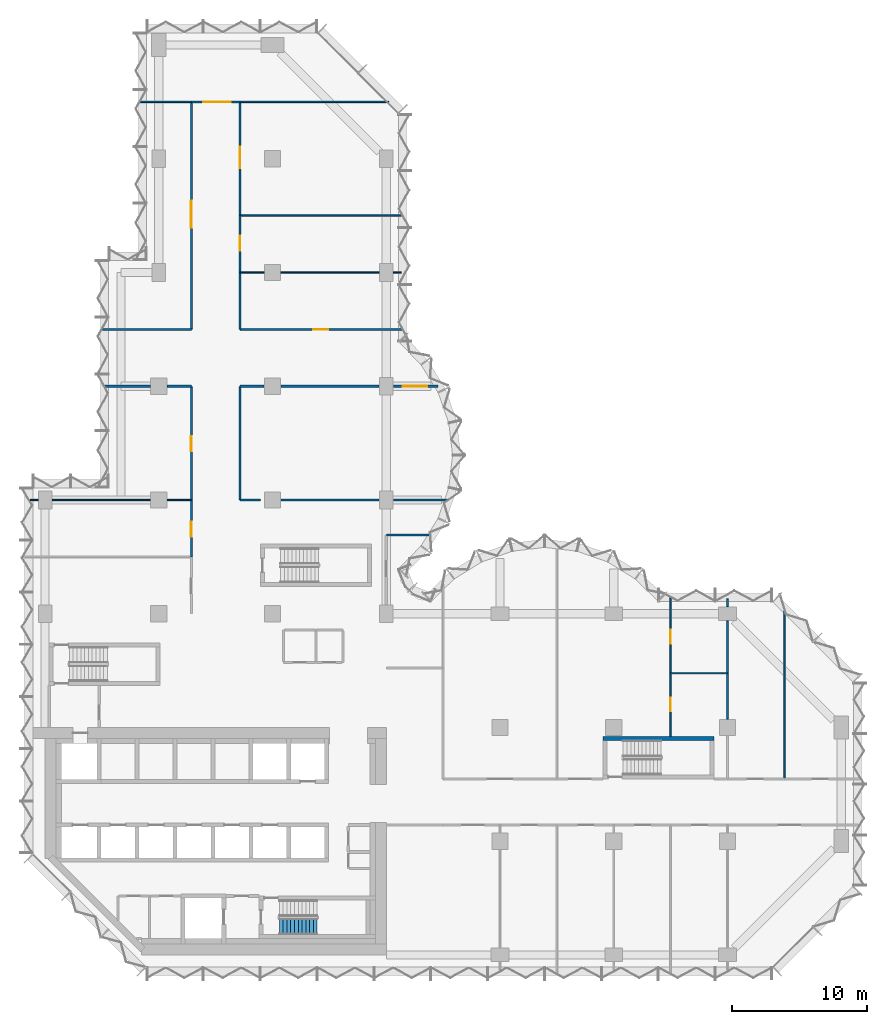
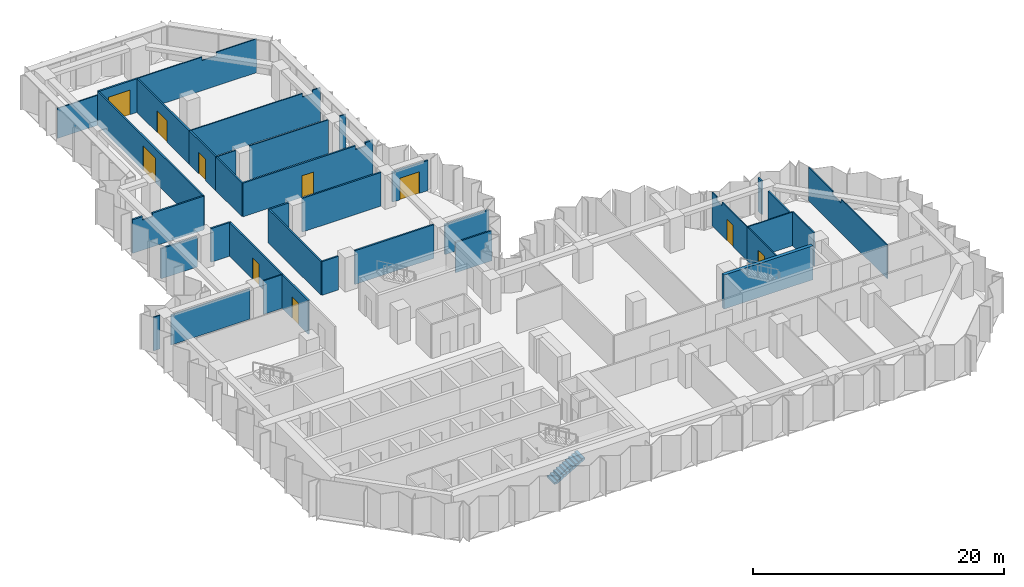
# One storey, part 8 of 11: 36 walls, 10 doors, 1 stair flight, 10 openings, 1 element without a shape of its own.
"""IFC4 building model written with IfcOpenShell, lengths in metres."""

from ifc_helpers import new_model, si_unit, direction, frame, frame_2d, origin, place, context, subcontext, project, spatial, polyline, rectangle, outline, extrude, material, layer, layer_set, type_object, element, fill, aggregate, save


model = new_model("IFC4")

# Units and contexts
model_context = context("Model", 3, precision=1e-05, world=origin(), true_north=direction((0.0, 1.0)))
body_context = subcontext(model_context, "Body", "Model", "MODEL_VIEW")
ifc_project = project(units=[si_unit("LENGTHUNIT", "METRE"), si_unit("AREAUNIT", "SQUARE_METRE"), si_unit("VOLUMEUNIT", "CUBIC_METRE"), si_unit("PLANEANGLEUNIT", "RADIAN"), si_unit("MASSUNIT", "GRAM", prefix="KILO")], contexts=[model_context])

# Site, building, storey
site_placement = place(None, origin())
site = spatial("IfcSite", under=ifc_project, at=site_placement, CompositionType="ELEMENT")
building_placement = place(site_placement, origin())
building = spatial("IfcBuilding", under=site, at=building_placement, Name="Brevane Broadcast Tower", CompositionType="ELEMENT")
storey_placement = place(building_placement, frame((0.0, 0.0, 152.89990234375)))
storey = spatial("IfcBuildingStorey", under=building, at=storey_placement, Name="L38", CompositionType="ELEMENT", Elevation=152.89990234375)

# Wall
ifc_material_1 = material(Name="Concrete C60/75", Category="concrete")
ifc_layer_1 = layer(ifc_material_1, 0.300048828125)
ifc_layer_set_1 = layer_set([ifc_layer_1], Name="Core wall 300 mm C60/75")
wall_type_1 = type_object("IfcWallType", Name="Core wall 300 mm C60/75", PredefinedType="SHEAR", material=ifc_layer_set_1)
wall_1_placement = place(storey_placement, frame((41.199951171875, 16.0, 0.0), z_axis=(0.0, 0.0, 1.0), x_axis=(1.0, 0.0, 0.0)))
element("IfcWall", 1, at=wall_1_placement, inside=storey, type_object=wall_type_1, Name="L38 stair wall ST-4-N", PredefinedType="SHEAR", context=body_context, shape_type="SweptSolid", body=[
    extrude(rectangle(XDim=8.199951171875, YDim=0.300048828125, at=frame_2d((4.10009765625, 0.0))), origin(), (0.0, 0.0, 1.0), 3.300048828125),
])

# Wall, opening, door
ifc_material_2 = material(Name="Gypsum board partition")
ifc_layer_2 = layer(ifc_material_2, 0.10009765625)
ifc_layer_set_2 = layer_set([ifc_layer_2], Name="PARTITION 100 STUD")
wall_type_2 = type_object("IfcWallType", Name="PARTITION 100 STUD", PredefinedType="PARTITIONING", material=ifc_layer_set_2)
wall_2_placement = place(storey_placement, frame((46.199951171875, 20.800048828125, 0.0), z_axis=(0.0, 0.0, 1.0), x_axis=(0.0, -1.0, 0.0)))
wall_2 = element("IfcWall", 2, at=wall_2_placement, inside=storey, type_object=wall_type_2, Name="Partition G11-030", PredefinedType="PARTITIONING", context=body_context, shape_type="SweptSolid", body=[
    extrude(rectangle(XDim=4.650146484375, YDim=0.10009765625, at=frame_2d((2.3251953125, 0.0))), origin(), (0.0, 0.0, 1.0), 3.280029296875),
])
opening_1_placement = place(wall_2_placement, frame((1.800048828125, 0.0, 0.0)))
opening_1 = element("IfcOpeningElement", 3, at=opening_1_placement, cuts=wall_2, Name="Opening D18-010", PredefinedType="OPENING", context=body_context, shape_type="SweptSolid", body=[
    extrude(rectangle(XDim=1.0, YDim=2.10009765625, at=frame_2d((0.5, 1.050048828125))), frame((0.0, 0.06005859375, 0.0), z_axis=(0.0, -1.0, 0.0), x_axis=(1.0, 0.0, 0.0)), (0.0, 0.0, 1.0), 0.1201171875),
])
ifc_material_3 = material(Name="Timber door leaf", Category="wood")
door_type_1 = type_object("IfcDoorType", Name="DOOR SINGLE 1000 INTERNAL", OperationType="SINGLE_SWING_LEFT", PredefinedType="DOOR", material=ifc_material_3)
door_1_placement = place(opening_1_placement, origin())
door_1 = element("IfcDoor", 4, at=door_1_placement, inside=storey, type_object=door_type_1, Name="Door D18-010", OperationType="SINGLE_SWING_LEFT", OverallHeight=2.10009765625, OverallWidth=1.0, PredefinedType="DOOR", context=body_context, shape_type="SweptSolid", body=[
    extrude(rectangle(XDim=1.0, YDim=2.10009765625, at=frame_2d((0.5, 1.050048828125))), frame((0.0, 0.02490234375, 0.0), z_axis=(0.0, -1.0, 0.0), x_axis=(1.0, 0.0, 0.0)), (0.0, 0.0, 1.0), 0.050048828125),
])
fill(opening_1, door_1)

wall_3_placement = place(storey_placement, frame((46.199951171875, 26.3740234375, 0.0), z_axis=(0.0, 0.0, 1.0), x_axis=(0.0, -1.0, 0.0)))
wall_3 = element("IfcWall", 5, at=wall_3_placement, inside=storey, type_object=wall_type_2, Name="Partition G11-031", PredefinedType="PARTITIONING", context=body_context, shape_type="SweptSolid", body=[
    extrude(outline(polyline([(0.0, 0.0), (5.573974609375, 0.0), (5.573974609375, 3.280029296875), (1.6240234375, 3.280029296875), (1.6220703125, 2.93017578125), (0.72607421875, 2.93017578125), (0.72412109375, 3.280029296875), (0.073974609375, 3.280029296875), (0.0, 3.280029296875), (0.0, 0.0)])), frame((0.0, 0.050048828125, 0.0), z_axis=(0.0, -1.0, 0.0), x_axis=(1.0, 0.0, 0.0)), (0.0, 0.0, 1.0), 0.10009765625),
])
opening_2_placement = place(wall_3_placement, frame((2.3740234375, 0.0, 0.0)))
opening_2 = element("IfcOpeningElement", 6, at=opening_2_placement, cuts=wall_3, Name="Opening D18-011", PredefinedType="OPENING", context=body_context, shape_type="SweptSolid", body=[
    extrude(rectangle(XDim=1.0, YDim=2.10009765625, at=frame_2d((0.5, 1.050048828125))), frame((0.0, 0.06005859375, 0.0), z_axis=(0.0, -1.0, 0.0), x_axis=(1.0, 0.0, 0.0)), (0.0, 0.0, 1.0), 0.1201171875),
])
door_2_placement = place(opening_2_placement, origin())
door_2 = element("IfcDoor", 7, at=door_2_placement, inside=storey, type_object=door_type_1, Name="Door D18-011", OperationType="SINGLE_SWING_LEFT", OverallHeight=2.10009765625, OverallWidth=1.0, PredefinedType="DOOR", context=body_context, shape_type="SweptSolid", body=[
    extrude(rectangle(XDim=1.0, YDim=2.10009765625, at=frame_2d((0.5, 1.050048828125))), frame((0.0, 0.02490234375, 0.0), z_axis=(0.0, -1.0, 0.0), x_axis=(1.0, 0.0, 0.0)), (0.0, 0.0, 1.0), 0.050048828125),
])
fill(opening_2, door_2)

# Walls
wall_4_placement = place(storey_placement, frame((46.199951171875, 20.800048828125, 0.0), z_axis=(0.0, 0.0, 1.0), x_axis=(1.0, 0.0, 0.0)))
element("IfcWall", 8, at=wall_4_placement, inside=storey, type_object=wall_type_2, Name="Partition G11-032", PredefinedType="PARTITIONING", context=body_context, shape_type="SweptSolid", body=[
    extrude(rectangle(XDim=4.199951171875, YDim=0.10009765625, at=frame_2d((2.10009765625, 0.0))), origin(), (0.0, 0.0, 1.0), 3.280029296875),
])
wall_5_placement = place(storey_placement, frame((54.60009765625, 25.50244140625, 0.0), z_axis=(0.0, 0.0, 1.0), x_axis=(0.0, -1.0, 0.0)))
element("IfcWall", 9, at=wall_5_placement, inside=storey, type_object=wall_type_2, Name="Partition G11-037", PredefinedType="PARTITIONING", context=body_context, shape_type="SweptSolid", body=[
    extrude(outline(polyline([(0.0, 0.0), (12.50244140625, 0.0), (12.50244140625, 3.280029296875), (5.168212890625, 3.280029296875), (5.166259765625, 2.93017578125), (3.8388671875, 2.93017578125), (3.8369140625, 3.280029296875), (0.1025390625, 3.280029296875), (0.0, 3.280029296875), (0.0, 0.0)])), frame((0.0, 0.050048828125, 0.0), z_axis=(0.0, -1.0, 0.0), x_axis=(1.0, 0.0, 0.0)), (0.0, 0.0, 1.0), 0.10009765625),
])
wall_6_placement = place(storey_placement, frame((10.800048828125, 63.0, 0.0), z_axis=(0.0, 0.0, 1.0), x_axis=(-1.0, 0.0, 0.0)))
element("IfcWall", 10, at=wall_6_placement, inside=storey, type_object=wall_type_2, Name="Partition G11-050", PredefinedType="PARTITIONING", context=body_context, shape_type="SweptSolid", body=[
    extrude(rectangle(XDim=3.76513671875, YDim=0.10009765625, at=frame_2d((1.882568359375, 0.0))), origin(), (0.0, 0.0, 1.0), 2.93017578125),
])
wall_7_placement = place(storey_placement, frame((25.39990234375, 63.0, 0.0), z_axis=(0.0, 0.0, 1.0), x_axis=(-1.0, 0.0, 0.0)))
element("IfcWall", 11, at=wall_7_placement, inside=storey, type_object=wall_type_2, Name="Partition G11-051", PredefinedType="PARTITIONING", context=body_context, shape_type="SweptSolid", body=[
    extrude(outline(polyline([(0.0, 0.0), (11.0, 0.0), (11.0, 3.280029296875), (5.065673828125, 3.280029296875), (5.063720703125, 2.93017578125), (3.736328125, 2.93017578125), (3.734375, 3.280029296875), (0.0, 3.280029296875), (0.0, 0.0)])), frame((0.0, 0.050048828125, 0.0), z_axis=(0.0, -1.0, 0.0), x_axis=(1.0, 0.0, 0.0)), (0.0, 0.0, 1.0), 0.10009765625),
])
wall_8_placement = place(storey_placement, frame((-1.10009765625, 33.60009765625, 0.0), z_axis=(0.0, 0.0, 1.0), x_axis=(1.0, 0.0, 0.0)))
element("IfcWall", 12, at=wall_8_placement, inside=storey, type_object=wall_type_2, Name="Partition G11-056", PredefinedType="PARTITIONING", context=body_context, shape_type="SweptSolid", body=[
    extrude(rectangle(XDim=0.580078125, YDim=0.10009765625, at=frame_2d((0.2900390625, 0.0))), origin(), (0.0, 0.0, 1.0), 3.280029296875),
])
wall_9_placement = place(storey_placement, frame((0.52001953125, 33.60009765625, 0.0), z_axis=(0.0, 0.0, 1.0), x_axis=(1.0, 0.0, 0.0)))
element("IfcWall", 13, at=wall_9_placement, inside=storey, type_object=wall_type_2, Name="Partition G11-057", PredefinedType="PARTITIONING", context=body_context, shape_type="SweptSolid", body=[
    extrude(outline(polyline([(0.0, 0.0), (7.260009765625, 0.0), (7.260009765625, 2.93017578125), (0.0, 2.93017578125), (0.0, 0.0)])), frame((0.0, 0.050048828125, 0.0), z_axis=(0.0, -1.0, 0.0), x_axis=(1.0, 0.0, 0.0)), (0.0, 0.0, 1.0), 0.10009765625),
])
for number, where, z_axis, x_axis, name in (
    (14, (9.02001953125, 33.60009765625, 0.0), (0.0, 0.0, 1.0), (1.0, 0.0, 0.0), "Partition G11-058"),
    (15, (14.39990234375, 50.39990234375, 0.0), (0.0, 0.0, 1.0), (1.0, 0.0, 0.0), "Partition G11-063"),
):
    element("IfcWall", number, at=place(storey_placement, frame(where, z_axis=z_axis, x_axis=x_axis)), inside=storey, type_object=wall_type_2, Name=name, PredefinedType="PARTITIONING", context=body_context, shape_type="SweptSolid", body=[
        extrude(rectangle(XDim=1.780029296875, YDim=0.10009765625, at=frame_2d((0.89013671875, 0.0))), origin(), (0.0, 0.0, 1.0), 3.280029296875),
    ])
wall_10_placement = place(storey_placement, frame((17.419921875, 50.39990234375, 0.0), z_axis=(0.0, 0.0, 1.0), x_axis=(1.0, 0.0, 0.0)))
element("IfcWall", 16, at=wall_10_placement, inside=storey, type_object=wall_type_2, Name="Partition G11-064", PredefinedType="PARTITIONING", context=body_context, shape_type="SweptSolid", body=[
    extrude(rectangle(XDim=7.260009765625, YDim=0.10009765625, at=frame_2d((3.6298828125, 0.0))), origin(), (0.0, 0.0, 1.0), 3.280029296875),
])
wall_11_placement = place(storey_placement, frame((25.719970703125, 50.39990234375, 0.0), z_axis=(0.0, 0.0, 1.0), x_axis=(1.0, 0.0, 0.0)))
element("IfcWall", 17, at=wall_11_placement, inside=storey, type_object=wall_type_2, Name="Partition G11-065", PredefinedType="PARTITIONING", context=body_context, shape_type="SweptSolid", body=[
    extrude(rectangle(XDim=0.580078125, YDim=0.10009765625, at=frame_2d((0.2900390625, 0.0))), origin(), (0.0, 0.0, 1.0), 3.280029296875),
])
wall_12_placement = place(storey_placement, frame((14.39990234375, 54.60009765625, 0.0), z_axis=(0.0, 0.0, 1.0), x_axis=(1.0, 0.0, 0.0)))
element("IfcWall", 18, at=wall_12_placement, inside=storey, type_object=wall_type_2, Name="Partition G11-066", PredefinedType="PARTITIONING", context=body_context, shape_type="SweptSolid", body=[
    extrude(outline(polyline([(0.0, 0.0), (11.97412109375, 0.0), (11.97412109375, 3.280029296875), (11.89990234375, 3.280029296875), (11.25, 3.280029296875), (11.248046875, 2.93017578125), (10.35205078125, 2.93017578125), (10.35009765625, 3.280029296875), (0.0, 3.280029296875), (0.0, 0.0)])), frame((0.0, 0.050048828125, 0.0), z_axis=(0.0, -1.0, 0.0), x_axis=(1.0, 0.0, 0.0)), (0.0, 0.0, 1.0), 0.10009765625),
])
ifc_layer_3 = layer(ifc_material_2, 0.125)
ifc_layer_set_3 = layer_set([ifc_layer_3], Name="PARTITION 125 ACOUSTIC")
wall_type_3 = type_object("IfcWallType", Name="PARTITION 125 ACOUSTIC", PredefinedType="PARTITIONING", material=ifc_layer_set_3)
wall_13_placement = place(storey_placement, frame((50.39990234375, 20.800048828125, 0.0), z_axis=(0.0, 0.0, 1.0), x_axis=(0.0, -1.0, 0.0)))
element("IfcWall", 19, at=wall_13_placement, inside=storey, type_object=wall_type_3, Name="Partition G11-033", PredefinedType="PARTITIONING", context=body_context, shape_type="SweptSolid", body=[
    extrude(rectangle(XDim=3.380126953125, YDim=0.125, at=frame_2d((1.68994140625, 0.0))), origin(), (0.0, 0.0, 1.0), 3.280029296875),
])
wall_14_placement = place(storey_placement, frame((50.39990234375, 26.300048828125, 0.0), z_axis=(0.0, 0.0, 1.0), x_axis=(0.0, -1.0, 0.0)))
element("IfcWall", 20, at=wall_14_placement, inside=storey, type_object=wall_type_3, Name="Partition G11-035", PredefinedType="PARTITIONING", context=body_context, shape_type="SweptSolid", body=[
    extrude(rectangle(XDim=0.580078125, YDim=0.125, at=frame_2d((0.2900390625, 0.0))), origin(), (0.0, 0.0, 1.0), 3.280029296875),
])
wall_15_placement = place(storey_placement, frame((50.39990234375, 24.679931640625, 0.0), z_axis=(0.0, 0.0, 1.0), x_axis=(0.0, -1.0, 0.0)))
element("IfcWall", 21, at=wall_15_placement, inside=storey, type_object=wall_type_3, Name="Partition G11-036", PredefinedType="PARTITIONING", context=body_context, shape_type="SweptSolid", body=[
    extrude(rectangle(XDim=3.8798828125, YDim=0.125, at=frame_2d((1.93994140625, 0.0))), origin(), (0.0, 0.0, 1.0), 2.93017578125),
])
ifc_layer_4 = layer(ifc_material_2, 0.14990234375)
ifc_layer_set_4 = layer_set([ifc_layer_4], Name="PARTITION 150 EI 60")
wall_type_4 = type_object("IfcWallType", Name="PARTITION 150 EI 60", PredefinedType="PARTITIONING", material=ifc_layer_set_4)
wall_16_placement = place(storey_placement, frame((25.199951171875, 31.0, 0.0), z_axis=(0.0, 0.0, 1.0), x_axis=(1.0, 0.0, 0.0)))
element("IfcWall", 22, at=wall_16_placement, inside=storey, type_object=wall_type_4, Name="Partition G11-006", PredefinedType="PARTITIONING", context=body_context, shape_type="SweptSolid", body=[
    extrude(rectangle(XDim=3.32421875, YDim=0.14990234375, at=frame_2d((1.662109375, 0.0))), origin(), (0.0, 0.0, 1.0), 2.93017578125),
])

# Wall, opening, door
wall_17_placement = place(storey_placement, frame((10.800048828125, 29.39990234375, 0.0), z_axis=(0.0, 0.0, 1.0), x_axis=(0.0, 1.0, 0.0)))
wall_17 = element("IfcWall", 23, at=wall_17_placement, inside=storey, type_object=wall_type_4, Name="Partition G11-039", PredefinedType="PARTITIONING", context=body_context, shape_type="SweptSolid", body=[
    extrude(rectangle(XDim=4.2001953125, YDim=0.14990234375, at=frame_2d((2.10009765625, 0.0))), origin(), (0.0, 0.0, 1.0), 3.280029296875),
])
opening_3_placement = place(wall_17_placement, frame((1.5, 0.0, 0.0)))
opening_3 = element("IfcOpeningElement", 24, at=opening_3_placement, cuts=wall_17, Name="Opening D18-016", PredefinedType="OPENING", context=body_context, shape_type="SweptSolid", body=[
    extrude(rectangle(XDim=1.10009765625, YDim=2.10009765625, at=frame_2d((0.550048828125, 1.050048828125))), frame((0.0, 0.0849609375, 0.0), z_axis=(0.0, -1.0, 0.0), x_axis=(1.0, 0.0, 0.0)), (0.0, 0.0, 1.0), 0.169921875),
])
ifc_material_4 = material(Name="Fire-rated timber door leaf", Category="wood")
door_type_2 = type_object("IfcDoorType", Name="DOOR SINGLE 1100 FD30S", OperationType="SINGLE_SWING_LEFT", PredefinedType="DOOR", material=ifc_material_4)
door_3_placement = place(opening_3_placement, origin())
door_3 = element("IfcDoor", 25, at=door_3_placement, inside=storey, type_object=door_type_2, Name="Door D18-016", OperationType="SINGLE_SWING_LEFT", OverallHeight=2.10009765625, OverallWidth=1.10009765625, PredefinedType="DOOR", context=body_context, shape_type="SweptSolid", body=[
    extrude(rectangle(XDim=1.10009765625, YDim=2.10009765625, at=frame_2d((0.550048828125, 1.050048828125))), frame((0.0, 0.02490234375, 0.0), z_axis=(0.0, -1.0, 0.0), x_axis=(1.0, 0.0, 0.0)), (0.0, 0.0, 1.0), 0.050048828125),
])
fill(opening_3, door_3)

# Walls
wall_18_placement = place(storey_placement, frame((14.39990234375, 33.60009765625, 0.0), z_axis=(0.0, 0.0, 1.0), x_axis=(1.0, 0.0, 0.0)))
element("IfcWall", 26, at=wall_18_placement, inside=storey, type_object=wall_type_4, Name="Partition G11-040", PredefinedType="PARTITIONING", context=body_context, shape_type="SweptSolid", body=[
    extrude(rectangle(XDim=1.5, YDim=0.14990234375, at=frame_2d((0.75, 0.0))), origin(), (0.0, 0.0, 1.0), 3.280029296875),
])
wall_19_placement = place(storey_placement, frame((17.419921875, 33.60009765625, 0.0), z_axis=(0.0, 0.0, 1.0), x_axis=(1.0, 0.0, 0.0)))
element("IfcWall", 27, at=wall_19_placement, inside=storey, type_object=wall_type_4, Name="Partition G11-041", PredefinedType="PARTITIONING", context=body_context, shape_type="SweptSolid", body=[
    extrude(rectangle(XDim=7.260009765625, YDim=0.14990234375, at=frame_2d((3.6298828125, 0.0))), origin(), (0.0, 0.0, 1.0), 3.280029296875),
])
wall_20_placement = place(storey_placement, frame((25.719970703125, 33.60009765625, 0.0), z_axis=(0.0, 0.0, 1.0), x_axis=(1.0, 0.0, 0.0)))
element("IfcWall", 28, at=wall_20_placement, inside=storey, type_object=wall_type_4, Name="Partition G11-042", PredefinedType="PARTITIONING", context=body_context, shape_type="SweptSolid", body=[
    extrude(rectangle(XDim=4.0419921875, YDim=0.14990234375, at=frame_2d((2.02099609375, 0.0))), origin(), (0.0, 0.0, 1.0), 2.93017578125),
])

# Wall, opening, door
wall_21_placement = place(storey_placement, frame((10.800048828125, 63.0, 0.0), z_axis=(0.0, 0.0, 1.0), x_axis=(1.0, 0.0, 0.0)))
wall_21 = element("IfcWall", 29, at=wall_21_placement, inside=storey, type_object=wall_type_4, Name="Partition G11-043", PredefinedType="PARTITIONING", context=body_context, shape_type="SweptSolid", body=[
    extrude(rectangle(XDim=3.599853515625, YDim=0.14990234375, at=frame_2d((1.7998046875, 0.0))), origin(), (0.0, 0.0, 1.0), 3.280029296875),
])
opening_4_placement = place(wall_21_placement, frame((0.89990234375, 0.0, 0.0)))
opening_4 = element("IfcOpeningElement", 30, at=opening_4_placement, cuts=wall_21, Name="Opening D18-014", PredefinedType="OPENING", context=body_context, shape_type="SweptSolid", body=[
    extrude(rectangle(XDim=2.0, YDim=2.39990234375, at=frame_2d((1.0, 1.199951171875))), frame((0.0, 0.0849609375, 0.0), z_axis=(0.0, -1.0, 0.0), x_axis=(1.0, 0.0, 0.0)), (0.0, 0.0, 1.0), 0.169921875),
])
door_type_3 = type_object("IfcDoorType", Name="DOOR DOUBLE 2000 FD30S", OperationType="DOUBLE_DOOR_SINGLE_SWING", PredefinedType="DOOR", material=ifc_material_4)
door_4_placement = place(opening_4_placement, origin())
door_4 = element("IfcDoor", 31, at=door_4_placement, inside=storey, type_object=door_type_3, Name="Door D18-014", OperationType="DOUBLE_DOOR_SINGLE_SWING", OverallHeight=2.39990234375, OverallWidth=2.0, PredefinedType="DOOR", context=body_context, shape_type="SweptSolid", body=[
    extrude(rectangle(XDim=2.0, YDim=2.39990234375, at=frame_2d((1.0, 1.199951171875))), frame((0.0, 0.02490234375, 0.0), z_axis=(0.0, -1.0, 0.0), x_axis=(1.0, 0.0, 0.0)), (0.0, 0.0, 1.0), 0.050048828125),
])
fill(opening_4, door_4)

wall_22_placement = place(storey_placement, frame((10.800048828125, 33.60009765625, 0.0), z_axis=(0.0, 0.0, 1.0), x_axis=(0.0, 1.0, 0.0)))
wall_22 = element("IfcWall", 32, at=wall_22_placement, inside=storey, type_object=wall_type_4, Name="Partition G11-044", PredefinedType="PARTITIONING", context=body_context, shape_type="SweptSolid", body=[
    extrude(rectangle(XDim=8.39990234375, YDim=0.14990234375, at=frame_2d((4.199951171875, 0.0))), origin(), (0.0, 0.0, 1.0), 3.280029296875),
])
opening_5_placement = place(wall_22_placement, frame((3.60009765625, 0.0, 0.0)))
opening_5 = element("IfcOpeningElement", 33, at=opening_5_placement, cuts=wall_22, Name="Opening D18-017", PredefinedType="OPENING", context=body_context, shape_type="SweptSolid", body=[
    extrude(rectangle(XDim=1.10009765625, YDim=2.10009765625, at=frame_2d((0.550048828125, 1.050048828125))), frame((0.0, 0.0849609375, 0.0), z_axis=(0.0, -1.0, 0.0), x_axis=(1.0, 0.0, 0.0)), (0.0, 0.0, 1.0), 0.169921875),
])
door_5_placement = place(opening_5_placement, origin())
door_5 = element("IfcDoor", 34, at=door_5_placement, inside=storey, type_object=door_type_2, Name="Door D18-017", OperationType="SINGLE_SWING_LEFT", OverallHeight=2.10009765625, OverallWidth=1.10009765625, PredefinedType="DOOR", context=body_context, shape_type="SweptSolid", body=[
    extrude(rectangle(XDim=1.10009765625, YDim=2.10009765625, at=frame_2d((0.550048828125, 1.050048828125))), frame((0.0, 0.02490234375, 0.0), z_axis=(0.0, -1.0, 0.0), x_axis=(1.0, 0.0, 0.0)), (0.0, 0.0, 1.0), 0.050048828125),
])
fill(opening_5, door_5)

wall_23_placement = place(storey_placement, frame((10.800048828125, 46.199951171875, 0.0), z_axis=(0.0, 0.0, 1.0), x_axis=(0.0, 1.0, 0.0)))
wall_23 = element("IfcWall", 35, at=wall_23_placement, inside=storey, type_object=wall_type_4, Name="Partition G11-045", PredefinedType="PARTITIONING", context=body_context, shape_type="SweptSolid", body=[
    extrude(rectangle(XDim=16.800048828125, YDim=0.14990234375, at=frame_2d((8.39990234375, 0.0))), origin(), (0.0, 0.0, 1.0), 3.280029296875),
])
opening_6_placement = place(wall_23_placement, frame((7.5, 0.0, 0.0)))
opening_6 = element("IfcOpeningElement", 36, at=opening_6_placement, cuts=wall_23, Name="Opening D18-018", PredefinedType="OPENING", context=body_context, shape_type="SweptSolid", body=[
    extrude(rectangle(XDim=2.0, YDim=2.39990234375, at=frame_2d((1.0, 1.199951171875))), frame((0.0, 0.0849609375, 0.0), z_axis=(0.0, -1.0, 0.0), x_axis=(1.0, 0.0, 0.0)), (0.0, 0.0, 1.0), 0.169921875),
])
door_6_placement = place(opening_6_placement, origin())
door_6 = element("IfcDoor", 37, at=door_6_placement, inside=storey, type_object=door_type_3, Name="Door D18-018", OperationType="DOUBLE_DOOR_SINGLE_SWING", OverallHeight=2.39990234375, OverallWidth=2.0, PredefinedType="DOOR", context=body_context, shape_type="SweptSolid", body=[
    extrude(rectangle(XDim=2.0, YDim=2.39990234375, at=frame_2d((1.0, 1.199951171875))), frame((0.0, 0.02490234375, 0.0), z_axis=(0.0, -1.0, 0.0), x_axis=(1.0, 0.0, 0.0)), (0.0, 0.0, 1.0), 0.050048828125),
])
fill(opening_6, door_6)

# Walls
wall_24_placement = place(storey_placement, frame((14.39990234375, 42.0, 0.0), z_axis=(0.0, 0.0, 1.0), x_axis=(0.0, -1.0, 0.0)))
element("IfcWall", 38, at=wall_24_placement, inside=storey, type_object=wall_type_4, Name="Partition G11-046", PredefinedType="PARTITIONING", context=body_context, shape_type="SweptSolid", body=[
    extrude(rectangle(XDim=8.39990234375, YDim=0.14990234375, at=frame_2d((4.199951171875, 0.0))), origin(), (0.0, 0.0, 1.0), 3.280029296875),
])
wall_25_placement = place(storey_placement, frame((14.39990234375, 50.39990234375, 0.0), z_axis=(0.0, 0.0, 1.0), x_axis=(0.0, -1.0, 0.0)))
element("IfcWall", 39, at=wall_25_placement, inside=storey, type_object=wall_type_4, Name="Partition G11-047", PredefinedType="PARTITIONING", context=body_context, shape_type="SweptSolid", body=[
    extrude(rectangle(XDim=4.199951171875, YDim=0.14990234375, at=frame_2d((2.10009765625, 0.0))), origin(), (0.0, 0.0, 1.0), 3.280029296875),
])

# Wall, opening, door
wall_26_placement = place(storey_placement, frame((14.39990234375, 54.60009765625, 0.0), z_axis=(0.0, 0.0, 1.0), x_axis=(0.0, -1.0, 0.0)))
wall_26 = element("IfcWall", 40, at=wall_26_placement, inside=storey, type_object=wall_type_4, Name="Partition G11-048", PredefinedType="PARTITIONING", context=body_context, shape_type="SweptSolid", body=[
    extrude(rectangle(XDim=4.2001953125, YDim=0.14990234375, at=frame_2d((2.10009765625, 0.0))), origin(), (0.0, 0.0, 1.0), 3.280029296875),
])
opening_7_placement = place(wall_26_placement, frame((1.5, 0.0, 0.0)))
opening_7 = element("IfcOpeningElement", 41, at=opening_7_placement, cuts=wall_26, Name="Opening D18-021", PredefinedType="OPENING", context=body_context, shape_type="SweptSolid", body=[
    extrude(rectangle(XDim=1.10009765625, YDim=2.10009765625, at=frame_2d((0.550048828125, 1.050048828125))), frame((0.0, 0.0849609375, 0.0), z_axis=(0.0, -1.0, 0.0), x_axis=(1.0, 0.0, 0.0)), (0.0, 0.0, 1.0), 0.169921875),
])
door_7_placement = place(opening_7_placement, origin())
door_7 = element("IfcDoor", 42, at=door_7_placement, inside=storey, type_object=door_type_2, Name="Door D18-021", OperationType="SINGLE_SWING_LEFT", OverallHeight=2.10009765625, OverallWidth=1.10009765625, PredefinedType="DOOR", context=body_context, shape_type="SweptSolid", body=[
    extrude(rectangle(XDim=1.10009765625, YDim=2.10009765625, at=frame_2d((0.550048828125, 1.050048828125))), frame((0.0, 0.02490234375, 0.0), z_axis=(0.0, -1.0, 0.0), x_axis=(1.0, 0.0, 0.0)), (0.0, 0.0, 1.0), 0.050048828125),
])
fill(opening_7, door_7)

wall_27_placement = place(storey_placement, frame((14.39990234375, 63.0, 0.0), z_axis=(0.0, 0.0, 1.0), x_axis=(0.0, -1.0, 0.0)))
wall_27 = element("IfcWall", 43, at=wall_27_placement, inside=storey, type_object=wall_type_4, Name="Partition G11-049", PredefinedType="PARTITIONING", context=body_context, shape_type="SweptSolid", body=[
    extrude(rectangle(XDim=8.39990234375, YDim=0.14990234375, at=frame_2d((4.199951171875, 0.0))), origin(), (0.0, 0.0, 1.0), 3.280029296875),
])
opening_8_placement = place(wall_27_placement, frame((3.300048828125, 0.0, 0.0)))
opening_8 = element("IfcOpeningElement", 44, at=opening_8_placement, cuts=wall_27, Name="Opening D18-022", PredefinedType="OPENING", context=body_context, shape_type="SweptSolid", body=[
    extrude(rectangle(XDim=1.60009765625, YDim=2.10009765625, at=frame_2d((0.800048828125, 1.050048828125))), frame((0.0, 0.0849609375, 0.0), z_axis=(0.0, -1.0, 0.0), x_axis=(1.0, 0.0, 0.0)), (0.0, 0.0, 1.0), 0.169921875),
])
door_type_4 = type_object("IfcDoorType", Name="DOOR DOUBLE 1600 FD30S", OperationType="DOUBLE_DOOR_SINGLE_SWING", PredefinedType="DOOR", material=ifc_material_4)
door_8_placement = place(opening_8_placement, origin())
door_8 = element("IfcDoor", 45, at=door_8_placement, inside=storey, type_object=door_type_4, Name="Door D18-022", OperationType="DOUBLE_DOOR_SINGLE_SWING", OverallHeight=2.10009765625, OverallWidth=1.60009765625, PredefinedType="DOOR", context=body_context, shape_type="SweptSolid", body=[
    extrude(rectangle(XDim=1.60009765625, YDim=2.10009765625, at=frame_2d((0.800048828125, 1.050048828125))), frame((0.0, 0.02490234375, 0.0), z_axis=(0.0, -1.0, 0.0), x_axis=(1.0, 0.0, 0.0)), (0.0, 0.0, 1.0), 0.050048828125),
])
fill(opening_8, door_8)

# Walls
wall_28_placement = place(storey_placement, frame((10.800048828125, 42.0, 0.0), z_axis=(0.0, 0.0, 1.0), x_axis=(-1.0, 0.0, 0.0)))
element("IfcWall", 46, at=wall_28_placement, inside=storey, type_object=wall_type_4, Name="Partition G11-052", PredefinedType="PARTITIONING", context=body_context, shape_type="SweptSolid", body=[
    extrude(rectangle(XDim=1.780029296875, YDim=0.14990234375, at=frame_2d((0.89013671875, 0.0))), origin(), (0.0, 0.0, 1.0), 3.280029296875),
])
wall_29_placement = place(storey_placement, frame((7.780029296875, 42.0, 0.0), z_axis=(0.0, 0.0, 1.0), x_axis=(-1.0, 0.0, 0.0)))
element("IfcWall", 47, at=wall_29_placement, inside=storey, type_object=wall_type_4, Name="Partition G11-053", PredefinedType="PARTITIONING", context=body_context, shape_type="SweptSolid", body=[
    extrude(rectangle(XDim=3.35400390625, YDim=0.14990234375, at=frame_2d((1.677001953125, 0.0))), origin(), (0.0, 0.0, 1.0), 2.93017578125),
])
wall_30_placement = place(storey_placement, frame((4.235107421875, 46.199951171875, 0.0), z_axis=(0.0, 0.0, 1.0), x_axis=(1.0, 0.0, 0.0)))
element("IfcWall", 48, at=wall_30_placement, inside=storey, type_object=wall_type_4, Name="Partition G11-054", PredefinedType="PARTITIONING", context=body_context, shape_type="SweptSolid", body=[
    extrude(outline(polyline([(0.0, 0.0), (6.56494140625, 0.0), (6.56494140625, 3.280029296875), (1.81494140625, 3.280029296875), (1.81298828125, 2.93017578125), (0.9169921875, 2.93017578125), (0.9150390625, 3.280029296875), (0.264892578125, 3.280029296875), (0.0, 3.280029296875), (0.0, 0.0)])), frame((0.0, 0.074951171875, 0.0), z_axis=(0.0, -1.0, 0.0), x_axis=(1.0, 0.0, 0.0)), (0.0, 0.0, 1.0), 0.14990234375),
])

# Wall, opening, door
wall_31_placement = place(storey_placement, frame((29.011474609375, 42.0, 0.0), z_axis=(0.0, 0.0, 1.0), x_axis=(-1.0, 0.0, 0.0)))
wall_31 = element("IfcWall", 49, at=wall_31_placement, inside=storey, type_object=wall_type_4, Name="Partition G11-059", PredefinedType="PARTITIONING", context=body_context, shape_type="SweptSolid", body=[
    extrude(rectangle(XDim=3.29150390625, YDim=0.14990234375, at=frame_2d((1.645751953125, 0.0))), origin(), (0.0, 0.0, 1.0), 2.93017578125),
])
opening_9_placement = place(wall_31_placement, frame((0.800048828125, 0.0, 0.0)))
opening_9 = element("IfcOpeningElement", 50, at=opening_9_placement, cuts=wall_31, Name="Opening D18-019", PredefinedType="OPENING", context=body_context, shape_type="SweptSolid", body=[
    extrude(rectangle(XDim=1.800048828125, YDim=2.10009765625, at=frame_2d((0.89990234375, 1.050048828125))), frame((0.0, 0.0849609375, 0.0), z_axis=(0.0, -1.0, 0.0), x_axis=(1.0, 0.0, 0.0)), (0.0, 0.0, 1.0), 0.169921875),
])
door_type_5 = type_object("IfcDoorType", Name="DOOR DOUBLE 1800 FD30S", OperationType="DOUBLE_DOOR_SINGLE_SWING", PredefinedType="DOOR", material=ifc_material_4)
door_9_placement = place(opening_9_placement, origin())
door_9 = element("IfcDoor", 51, at=door_9_placement, inside=storey, type_object=door_type_5, Name="Door D18-019", OperationType="DOUBLE_DOOR_SINGLE_SWING", OverallHeight=2.10009765625, OverallWidth=1.800048828125, PredefinedType="DOOR", context=body_context, shape_type="SweptSolid", body=[
    extrude(rectangle(XDim=1.800048828125, YDim=2.10009765625, at=frame_2d((0.89990234375, 1.050048828125))), frame((0.0, 0.02490234375, 0.0), z_axis=(0.0, -1.0, 0.0), x_axis=(1.0, 0.0, 0.0)), (0.0, 0.0, 1.0), 0.050048828125),
])
fill(opening_9, door_9)

# Walls
wall_32_placement = place(storey_placement, frame((24.679931640625, 42.0, 0.0), z_axis=(0.0, 0.0, 1.0), x_axis=(-1.0, 0.0, 0.0)))
element("IfcWall", 52, at=wall_32_placement, inside=storey, type_object=wall_type_4, Name="Partition G11-060", PredefinedType="PARTITIONING", context=body_context, shape_type="SweptSolid", body=[
    extrude(rectangle(XDim=7.260009765625, YDim=0.14990234375, at=frame_2d((3.6298828125, 0.0))), origin(), (0.0, 0.0, 1.0), 3.280029296875),
])
wall_33_placement = place(storey_placement, frame((16.179931640625, 42.0, 0.0), z_axis=(0.0, 0.0, 1.0), x_axis=(-1.0, 0.0, 0.0)))
element("IfcWall", 53, at=wall_33_placement, inside=storey, type_object=wall_type_4, Name="Partition G11-061", PredefinedType="PARTITIONING", context=body_context, shape_type="SweptSolid", body=[
    extrude(rectangle(XDim=1.780029296875, YDim=0.14990234375, at=frame_2d((0.89013671875, 0.0))), origin(), (0.0, 0.0, 1.0), 3.280029296875),
])

# Wall, opening, door
wall_34_placement = place(storey_placement, frame((14.39990234375, 46.199951171875, 0.0), z_axis=(0.0, 0.0, 1.0), x_axis=(1.0, 0.0, 0.0)))
wall_34 = element("IfcWall", 54, at=wall_34_placement, inside=storey, type_object=wall_type_4, Name="Partition G11-062", PredefinedType="PARTITIONING", context=body_context, shape_type="SweptSolid", body=[
    extrude(outline(polyline([(0.0, 0.0), (11.97412109375, 0.0), (11.97412109375, 3.280029296875), (11.89990234375, 3.280029296875), (11.25, 3.280029296875), (11.248046875, 2.93017578125), (10.35205078125, 2.93017578125), (10.35009765625, 3.280029296875), (0.0, 3.280029296875), (0.0, 0.0)])), frame((0.0, 0.074951171875, 0.0), z_axis=(0.0, -1.0, 0.0), x_axis=(1.0, 0.0, 0.0)), (0.0, 0.0, 1.0), 0.14990234375),
])
opening_10_placement = place(wall_34_placement, frame((5.39990234375, 0.0, 0.0)))
opening_10 = element("IfcOpeningElement", 55, at=opening_10_placement, cuts=wall_34, Name="Opening D18-020", PredefinedType="OPENING", context=body_context, shape_type="SweptSolid", body=[
    extrude(rectangle(XDim=1.10009765625, YDim=2.10009765625, at=frame_2d((0.550048828125, 1.050048828125))), frame((0.0, 0.0849609375, 0.0), z_axis=(0.0, -1.0, 0.0), x_axis=(1.0, 0.0, 0.0)), (0.0, 0.0, 1.0), 0.169921875),
])
door_10_placement = place(opening_10_placement, origin())
door_10 = element("IfcDoor", 56, at=door_10_placement, inside=storey, type_object=door_type_2, Name="Door D18-020", OperationType="SINGLE_SWING_LEFT", OverallHeight=2.10009765625, OverallWidth=1.10009765625, PredefinedType="DOOR", context=body_context, shape_type="SweptSolid", body=[
    extrude(rectangle(XDim=1.10009765625, YDim=2.10009765625, at=frame_2d((0.550048828125, 1.050048828125))), frame((0.0, 0.02490234375, 0.0), z_axis=(0.0, -1.0, 0.0), x_axis=(1.0, 0.0, 0.0)), (0.0, 0.0, 1.0), 0.050048828125),
])
fill(opening_10, door_10)

# Stair, stair flight
ifc_material_5 = material(Name="Concrete C50/60", Category="concrete")
stair_type = type_object("IfcStairType", Name="Exit stair 22 risers", PredefinedType="HALF_TURN_STAIR", material=ifc_material_5)
stair_placement = place(storey_placement, origin())
stair = element("IfcStair", 57, at=stair_placement, inside=storey, type_object=stair_type, Name="L38 Exit stair ST-2", PredefinedType="HALF_TURN_STAIR")
stair_flight_type = type_object("IfcStairFlightType", Name="Exit stair flight 22 risers", PredefinedType="STRAIGHT", material=ifc_material_5)
stair_flight_placement = place(storey_placement, frame((17.300048828125, 2.10009765625, 0.0), z_axis=(0.0, 0.0, 1.0), x_axis=(1.0, 0.0, 0.0)))
stair_flight = element("IfcStairFlight", 58, at=stair_flight_placement, type_object=stair_flight_type, Name="ST-2 flight 1", NumberOfRisers=11, NumberOfTreads=10, PredefinedType="STRAIGHT", RiserHeight=0.163636364, TreadLength=0.28, context=body_context, shape_type="SweptSolid", body=[
    extrude(outline(polyline([(0.0, 0.0), (0.0, 0.16357421875), (0.280029296875, 0.16357421875), (0.280029296875, 0.327392578125), (0.56005859375, 0.327392578125), (0.56005859375, 0.490966796875), (0.840087890625, 0.490966796875), (0.840087890625, 0.654541015625), (1.1201171875, 0.654541015625), (1.1201171875, 0.818115234375), (1.39990234375, 0.818115234375), (1.39990234375, 0.98193359375), (1.679931640625, 0.98193359375), (1.679931640625, 1.1455078125), (1.9599609375, 1.1455078125), (1.9599609375, 1.30908203125), (2.239990234375, 1.30908203125), (2.239990234375, 1.47265625), (2.52001953125, 1.47265625), (2.52001953125, 1.636474609375), (2.800048828125, 1.636474609375), (2.800048828125, 1.800048828125), (2.800048828125, 1.462646484375), (0.297119140625, 0.0), (0.0, 0.0)])), frame((0.0, 0.60009765625, 0.0), z_axis=(0.0, -1.0, 0.0), x_axis=(1.0, 0.0, 0.0)), (0.0, 0.0, 1.0), 1.199951171875),
])
aggregate(stair, [stair_flight])

save(model, "model.ifc")
